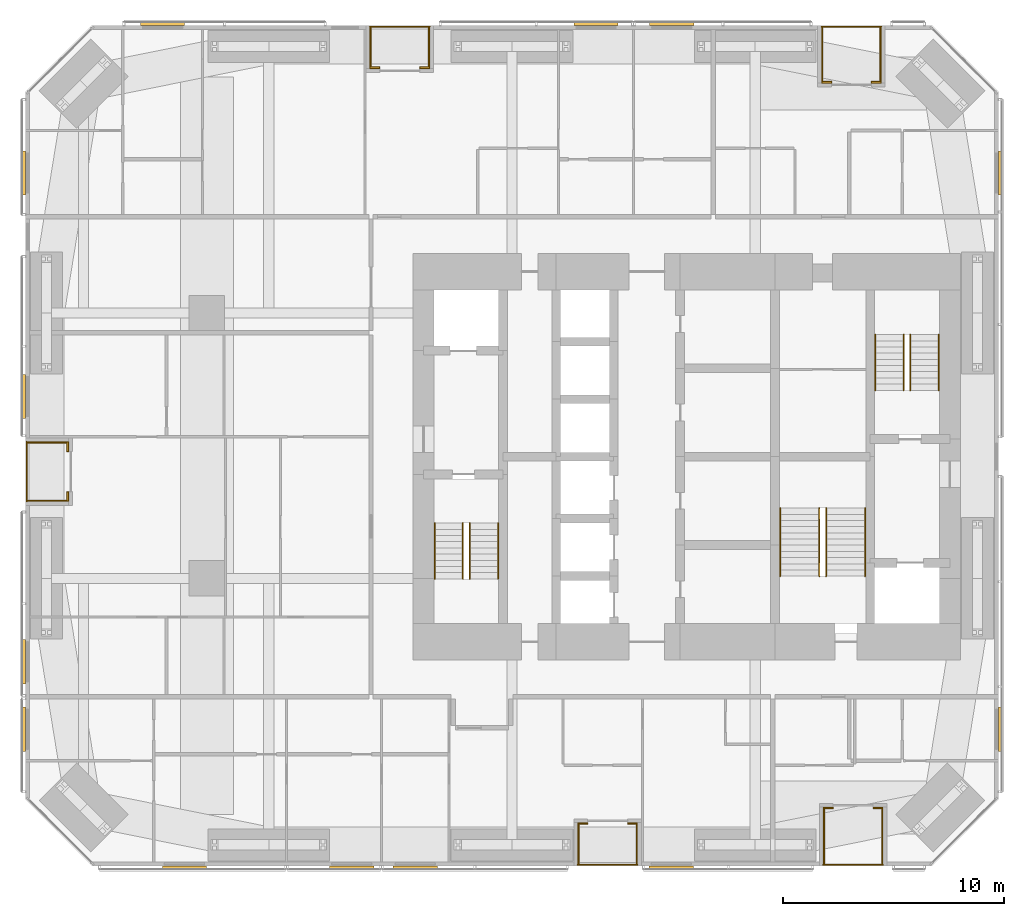
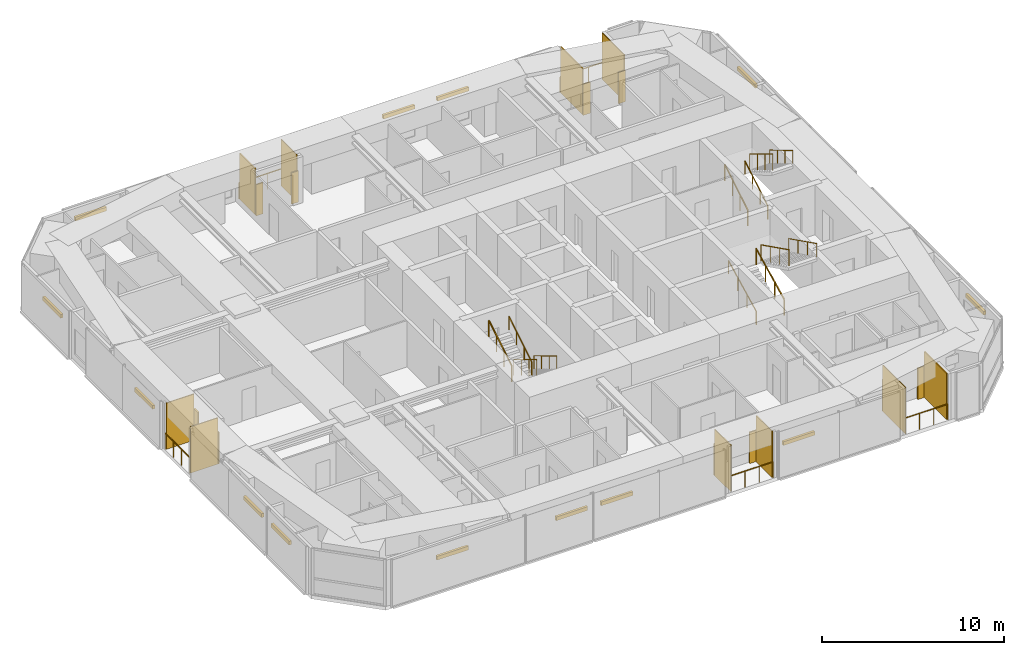
# One storey, part 24 of 24: 33 shading devices, 17 railings.
"""IFC4 building model written with IfcOpenShell, lengths in metres."""

from ifc_helpers import new_model, si_unit, direction, frame, origin, origin_2d, place, context, subcontext, project, spatial, rectangle, circle, extrude, material, layer, layer_set, constituent, constituent_set, type_object, element, save


model = new_model("IFC4")

# Units and contexts
model_context = context("Model", 3, precision=1e-05, world=origin(), true_north=direction((0.0, 1.0)))
body_context = subcontext(model_context, "Body", "Model", "MODEL_VIEW")
ifc_project = project(units=[si_unit("LENGTHUNIT", "METRE"), si_unit("AREAUNIT", "SQUARE_METRE"), si_unit("VOLUMEUNIT", "CUBIC_METRE"), si_unit("PLANEANGLEUNIT", "RADIAN"), si_unit("MASSUNIT", "GRAM", prefix="KILO")], contexts=[model_context])

# Site, building, storey
site_placement = place(None, origin())
site = spatial("IfcSite", under=ifc_project, at=site_placement, CompositionType="ELEMENT")
building_placement = place(site_placement, origin())
building = spatial("IfcBuilding", under=site, at=building_placement, Name="Jalousie Tower", CompositionType="ELEMENT")
storey_placement = place(building_placement, frame((0.0, 0.0, 57.85009765625)))
storey = spatial("IfcBuildingStorey", under=building, at=storey_placement, Name="L15", CompositionType="ELEMENT", Elevation=57.85009765625)

# Shading devices
ifc_material_1 = material(Name="Aluminium impact-rated louvred storm shutter", Category="aluminium")
shading_device_type_1 = type_object("IfcShadingDeviceType", Name="BI-FOLD STORM SHUTTER 900x2100", PredefinedType="SHUTTER", material=ifc_material_1)
for number, where, z_axis, x_axis, name in (
    (1, (27.199951171875, 1.909912109375, -0.000244140625), (0.0, 0.0, 1.0), (1.0, 0.0, 0.0), "Loggia storm shutter L15"),
    (2, (29.449951171875, 1.909912109375, -0.000244140625), (0.0, 0.0, 1.0), (1.0, 0.0, 0.0), "Loggia storm shutter L15"),
    (3, (38.300048828125, 2.610107421875, -0.000244140625), (0.0, 0.0, 1.0), (1.0, 0.0, 0.0), "Loggia storm shutter L15"),
    (4, (40.550048828125, 2.610107421875, -0.000244140625), (0.0, 0.0, 1.0), (1.0, 0.0, 0.0), "Loggia storm shutter L15"),
    (5, (40.4736328125, 35.43994140625, -0.000244140625), (0.0, 0.0, 1.0), (-1.0, 0.0, 0.0), "Loggia storm shutter L15"),
    (6, (38.2236328125, 35.43994140625, -0.000244140625), (0.0, 0.0, 1.0), (-1.0, 0.0, 0.0), "Loggia storm shutter L15"),
    (7, (20.050048828125, 36.090087890625, -0.000244140625), (0.0, 0.0, 1.0), (-1.0, 0.0, 0.0), "Loggia storm shutter L15"),
    (8, (17.800048828125, 36.090087890625, -0.000244140625), (0.0, 0.0, 1.0), (-1.0, 0.0, 0.0), "Loggia storm shutter L15"),
    (9, (3.909912109375, 18.949951171875, -0.000244140625), (0.0, 0.0, 1.0), (0.0, -1.0, 0.0), "Loggia storm shutter L15"),
    (10, (3.909912109375, 16.699951171875, -0.000244140625), (0.0, 0.0, 1.0), (0.0, -1.0, 0.0), "Loggia storm shutter L15"),
):
    element("IfcShadingDevice", number, at=place(storey_placement, frame(where, z_axis=z_axis, x_axis=x_axis)), inside=storey, type_object=shading_device_type_1, Name=name, PredefinedType="SHUTTER", context=body_context, shape_type="SweptSolid", body=[
        extrude(rectangle(XDim=0.449951171875, YDim=0.080078125, at=origin_2d()), origin(), (0.0, 0.0, 1.0), 2.10009765625),
    ])

# Railings
ifc_material_2 = material(Name="Powder-coated aluminium fretwork", Category="aluminium")
railing_type_1 = type_object("IfcRailingType", Name="FRETWORK BALUSTRADE 1100", PredefinedType="BALUSTRADE", material=ifc_material_2)
for number, where, name in (
    (11, (26.97509765625, 0.050048828125, 0.0), "Loggia fretwork balustrade L15"),
    (12, (38.074951171875, 0.050048828125, 0.0), "Loggia fretwork balustrade L15"),
):
    element("IfcRailing", number, at=place(storey_placement, frame(where)), inside=storey, type_object=railing_type_1, Name=name, PredefinedType="BALUSTRADE", context=body_context, shape_type="SweptSolid", body=[
        extrude(rectangle(XDim=0.048095703125, YDim=0.048095703125, at=origin_2d()), frame((0.0, 0.0, 1.076171875), z_axis=(1.0, 0.0, 0.0), x_axis=(0.0, 1.0, 0.0)), (0.0, 0.0, 1.0), 2.699951171875),
        extrude(circle(Radius=0.02099609375, at=origin_2d()), origin(), (0.0, 0.0, 1.0), 1.052001953125),
        extrude(circle(Radius=0.02099609375, at=origin_2d()), frame((0.89990234375, 0.0, 0.0)), (0.0, 0.0, 1.0), 1.052001953125),
        extrude(circle(Radius=0.02099609375, at=origin_2d()), frame((1.800048828125, 0.0, 0.0)), (0.0, 0.0, 1.0), 1.052001953125),
        extrude(circle(Radius=0.02099609375, at=origin_2d()), frame((2.699951171875, 0.0, 0.0)), (0.0, 0.0, 1.0), 1.052001953125),
    ])
for number, where, name in (
    (13, (40.69873046875, 37.949951171875, 0.0), "Loggia fretwork balustrade L15"),
    (14, (20.27490234375, 37.949951171875, 0.0), "Loggia fretwork balustrade L15"),
):
    element("IfcRailing", number, at=place(storey_placement, frame(where)), inside=storey, type_object=railing_type_1, Name=name, PredefinedType="BALUSTRADE", context=body_context, shape_type="SweptSolid", body=[
        extrude(rectangle(XDim=0.048095703125, YDim=0.048095703125, at=origin_2d()), frame((0.0, 0.0, 1.076171875), z_axis=(-1.0, 0.0, 0.0), x_axis=(0.0, -1.0, 0.0)), (0.0, 0.0, 1.0), 2.699951171875),
        extrude(circle(Radius=0.02099609375, at=origin_2d()), origin(), (0.0, 0.0, 1.0), 1.052001953125),
        extrude(circle(Radius=0.02099609375, at=origin_2d()), frame((-0.89990234375, 0.0, 0.0)), (0.0, 0.0, 1.0), 1.052001953125),
        extrude(circle(Radius=0.02099609375, at=origin_2d()), frame((-1.800048828125, 0.0, 0.0)), (0.0, 0.0, 1.0), 1.052001953125),
        extrude(circle(Radius=0.02099609375, at=origin_2d()), frame((-2.699951171875, 0.0, 0.0)), (0.0, 0.0, 1.0), 1.052001953125),
    ])
railing_1_placement = place(storey_placement, frame((2.050048828125, 19.175048828125, 0.0)))
element("IfcRailing", 15, at=railing_1_placement, inside=storey, type_object=railing_type_1, Name="Loggia fretwork balustrade L15", PredefinedType="BALUSTRADE", context=body_context, shape_type="SweptSolid", body=[
    extrude(rectangle(XDim=0.048095703125, YDim=0.048095703125, at=origin_2d()), frame((0.0, 0.0, 1.076171875), z_axis=(0.0, -1.0, 0.0), x_axis=(1.0, 0.0, 0.0)), (0.0, 0.0, 1.0), 2.699951171875),
    extrude(circle(Radius=0.02099609375, at=origin_2d()), origin(), (0.0, 0.0, 1.0), 1.052001953125),
    extrude(circle(Radius=0.02099609375, at=origin_2d()), frame((0.0, -0.89990234375, 0.0)), (0.0, 0.0, 1.0), 1.052001953125),
    extrude(circle(Radius=0.02099609375, at=origin_2d()), frame((0.0, -1.800048828125, 0.0)), (0.0, 0.0, 1.0), 1.052001953125),
    extrude(circle(Radius=0.02099609375, at=origin_2d()), frame((0.0, -2.699951171875, 0.0)), (0.0, 0.0, 1.0), 1.052001953125),
])

# Shading devices
ifc_material_3 = material(Name="Powder-coated aluminium louvres", Category="aluminium")
ifc_layer = layer(ifc_material_3, 0.06005859375)
ifc_layer_set = layer_set([ifc_layer], Name="Powder-coated aluminium louvres")
shading_device_type_2 = type_object("IfcShadingDeviceType", Name="JALOUSIE LOUVRE SCREEN", PredefinedType="JALOUSIE", material=ifc_layer_set)
for number, where, z_axis, x_axis, name in (
    (16, (27.0048828125, 0.97509765625, 0.0), (0.0, 0.0, 1.0), (1.0, 0.0, 0.0), "Loggia jalousie louvre screen L15"),
    (17, (29.64501953125, 0.97509765625, 0.0), (0.0, 0.0, 1.0), (1.0, 0.0, 0.0), "Loggia jalousie louvre screen L15"),
):
    element("IfcShadingDevice", number, at=place(storey_placement, frame(where, z_axis=z_axis, x_axis=x_axis)), inside=storey, type_object=shading_device_type_2, Name=name, PredefinedType="JALOUSIE", context=body_context, shape_type="SweptSolid", body=[
        extrude(rectangle(XDim=0.06005859375, YDim=1.75, at=origin_2d()), origin(), (0.0, 0.0, 1.0), 3.110107421875),
    ])
for number, where, z_axis, x_axis, name in (
    (18, (38.10498046875, 1.324951171875, 0.0), (0.0, 0.0, 1.0), (1.0, 0.0, 0.0), "Loggia jalousie louvre screen L15"),
    (19, (40.7451171875, 1.324951171875, 0.0), (0.0, 0.0, 1.0), (1.0, 0.0, 0.0), "Loggia jalousie louvre screen L15"),
):
    element("IfcShadingDevice", number, at=place(storey_placement, frame(where, z_axis=z_axis, x_axis=x_axis)), inside=storey, type_object=shading_device_type_2, Name=name, PredefinedType="JALOUSIE", context=body_context, shape_type="SweptSolid", body=[
        extrude(rectangle(XDim=0.06005859375, YDim=2.449951171875, at=origin_2d()), origin(), (0.0, 0.0, 1.0), 3.110107421875),
    ])
for number, where, z_axis, x_axis, name in (
    (20, (40.668701171875, 36.699951171875, 0.0), (0.0, 0.0, 1.0), (-1.0, 0.0, 0.0), "Loggia jalousie louvre screen L15"),
    (21, (38.02880859375, 36.699951171875, 0.0), (0.0, 0.0, 1.0), (-1.0, 0.0, 0.0), "Loggia jalousie louvre screen L15"),
):
    element("IfcShadingDevice", number, at=place(storey_placement, frame(where, z_axis=z_axis, x_axis=x_axis)), inside=storey, type_object=shading_device_type_2, Name=name, PredefinedType="JALOUSIE", context=body_context, shape_type="SweptSolid", body=[
        extrude(rectangle(XDim=0.06005859375, YDim=2.39990234375, at=origin_2d()), origin(), (0.0, 0.0, 1.0), 3.110107421875),
    ])
for number, where, z_axis, x_axis, name in (
    (22, (20.2451171875, 37.02490234375, 0.0), (0.0, 0.0, 1.0), (-1.0, 0.0, 0.0), "Loggia jalousie louvre screen L15"),
    (23, (17.60498046875, 37.02490234375, 0.0), (0.0, 0.0, 1.0), (-1.0, 0.0, 0.0), "Loggia jalousie louvre screen L15"),
    (24, (2.97509765625, 19.14501953125, 0.0), (0.0, 0.0, 1.0), (0.0, -1.0, 0.0), "Loggia jalousie louvre screen L15"),
    (25, (2.97509765625, 16.5048828125, 0.0), (0.0, 0.0, 1.0), (0.0, -1.0, 0.0), "Loggia jalousie louvre screen L15"),
):
    element("IfcShadingDevice", number, at=place(storey_placement, frame(where, z_axis=z_axis, x_axis=x_axis)), inside=storey, type_object=shading_device_type_2, Name=name, PredefinedType="JALOUSIE", context=body_context, shape_type="SweptSolid", body=[
        extrude(rectangle(XDim=0.06005859375, YDim=1.75, at=origin_2d()), origin(), (0.0, 0.0, 1.0), 3.110107421875),
    ])

# Railings
ifc_material_4 = material(Name="Steel ASTM A500 Grade C", Category="steel")
ifc_constituent_1 = constituent(ifc_material_4, Name="Body")
ifc_material_5 = material(Name="Hot-dip galvanised zinc coating")
ifc_constituent_2 = constituent(ifc_material_5, Name="Finish")
ifc_constituent_set_1 = constituent_set(constituents=[ifc_constituent_1, ifc_constituent_2])
railing_type_2 = type_object("IfcRailingType", Name="STAIR GUARD 1100", PredefinedType="GUARDRAIL", material=ifc_constituent_set_1)
railing_2_placement = place(storey_placement, frame((22.092529296875, 15.49755859375, 0.16748046875)))
element("IfcRailing", 26, at=railing_2_placement, inside=storey, type_object=railing_type_2, Name="Exit stair A guard L15 flight 1", PredefinedType="GUARDRAIL", context=body_context, shape_type="SweptSolid", body=[
    extrude(rectangle(XDim=0.048095703125, YDim=0.048095703125, at=origin_2d()), frame((0.0, 0.0, 1.076171875), z_axis=(0.0, -0.858196387827, 0.513321497621), x_axis=(1.0, 0.0, 0.0)), (0.0, 0.0, 1.0), 2.9365234375),
    extrude(circle(Radius=0.02099609375, at=origin_2d()), origin(), (0.0, 0.0, 1.0), 1.052001953125),
    extrude(circle(Radius=0.02099609375, at=origin_2d()), frame((0.0, -0.840087890625, 0.50244140625)), (0.0, 0.0, 1.0), 1.052001953125),
    extrude(circle(Radius=0.02099609375, at=origin_2d()), frame((0.0, -1.679931640625, 1.0048828125)), (0.0, 0.0, 1.0), 1.052001953125),
    extrude(circle(Radius=0.02099609375, at=origin_2d()), frame((0.0, -2.52001953125, 1.50732421875)), (0.0, 0.0, 1.0), 1.052001953125),
])
railing_3_placement = place(storey_placement, frame((20.5048828125, 12.9775390625, 1.84228515625)))
element("IfcRailing", 27, at=railing_3_placement, inside=storey, type_object=railing_type_2, Name="Exit stair A guard L15 flight 2", PredefinedType="GUARDRAIL", context=body_context, shape_type="SweptSolid", body=[
    extrude(rectangle(XDim=0.048095703125, YDim=0.048095703125, at=origin_2d()), frame((0.0, 0.0, 1.076171875), z_axis=(0.0, 0.858159760407, 0.513382728203), x_axis=(-1.0, 0.0, 0.0)), (0.0, 0.0, 1.0), 2.9365234375),
    extrude(circle(Radius=0.02099609375, at=origin_2d()), origin(), (0.0, 0.0, 1.0), 1.052001953125),
    extrude(circle(Radius=0.02099609375, at=origin_2d()), frame((0.0, 0.840087890625, 0.50244140625)), (0.0, 0.0, 1.0), 1.052001953125),
    extrude(circle(Radius=0.02099609375, at=origin_2d()), frame((0.0, 1.679931640625, 1.005126953125)), (0.0, 0.0, 1.0), 1.052001953125),
    extrude(circle(Radius=0.02099609375, at=origin_2d()), frame((0.0, 2.52001953125, 1.507568359375)), (0.0, 0.0, 1.0), 1.052001953125),
])
railing_4_placement = place(storey_placement, frame((40.43017578125, 21.50244140625, 0.16748046875)))
element("IfcRailing", 28, at=railing_4_placement, inside=storey, type_object=railing_type_2, Name="Exit stair B guard L15 flight 1", PredefinedType="GUARDRAIL", context=body_context, shape_type="SweptSolid", body=[
    extrude(rectangle(XDim=0.048095703125, YDim=0.048095703125, at=origin_2d()), frame((0.0, 0.0, 1.076171875), z_axis=(0.0, 0.858196387827, 0.513321497621), x_axis=(-1.0, 0.0, 0.0)), (0.0, 0.0, 1.0), 2.9365234375),
    extrude(circle(Radius=0.02099609375, at=origin_2d()), origin(), (0.0, 0.0, 1.0), 1.052001953125),
    extrude(circle(Radius=0.02099609375, at=origin_2d()), frame((0.0, 0.840087890625, 0.50244140625)), (0.0, 0.0, 1.0), 1.052001953125),
    extrude(circle(Radius=0.02099609375, at=origin_2d()), frame((0.0, 1.679931640625, 1.0048828125)), (0.0, 0.0, 1.0), 1.052001953125),
    extrude(circle(Radius=0.02099609375, at=origin_2d()), frame((0.0, 2.52001953125, 1.50732421875)), (0.0, 0.0, 1.0), 1.052001953125),
])
railing_5_placement = place(storey_placement, frame((42.017578125, 24.0224609375, 1.84228515625)))
element("IfcRailing", 29, at=railing_5_placement, inside=storey, type_object=railing_type_2, Name="Exit stair B guard L15 flight 2", PredefinedType="GUARDRAIL", context=body_context, shape_type="SweptSolid", body=[
    extrude(rectangle(XDim=0.048095703125, YDim=0.048095703125, at=origin_2d()), frame((0.0, 0.0, 1.076171875), z_axis=(0.0, -0.858159760407, 0.513382728203), x_axis=(1.0, 0.0, 0.0)), (0.0, 0.0, 1.0), 2.9365234375),
    extrude(circle(Radius=0.02099609375, at=origin_2d()), origin(), (0.0, 0.0, 1.0), 1.052001953125),
    extrude(circle(Radius=0.02099609375, at=origin_2d()), frame((0.0, -0.840087890625, 0.50244140625)), (0.0, 0.0, 1.0), 1.052001953125),
    extrude(circle(Radius=0.02099609375, at=origin_2d()), frame((0.0, -1.679931640625, 1.005126953125)), (0.0, 0.0, 1.0), 1.052001953125),
    extrude(circle(Radius=0.02099609375, at=origin_2d()), frame((0.0, -2.52001953125, 1.507568359375)), (0.0, 0.0, 1.0), 1.052001953125),
])
railing_6_placement = place(storey_placement, frame((37.89501953125, 13.097412109375, 0.139404296875)))
element("IfcRailing", 30, at=railing_6_placement, inside=storey, type_object=railing_type_2, Name="Exit stair C guard L15 flight 1", PredefinedType="GUARDRAIL", context=body_context, shape_type="SweptSolid", body=[
    extrude(rectangle(XDim=0.048095703125, YDim=0.048095703125, at=origin_2d()), frame((0.0, 0.0, 1.076171875), z_axis=(0.0, 0.894965676997, 0.446134998624), x_axis=(-1.0, 0.0, 0.0)), (0.0, 0.0, 1.0), 3.441650390625),
    extrude(circle(Radius=0.02099609375, at=origin_2d()), origin(), (0.0, 0.0, 1.0), 1.052001953125),
    extrude(circle(Radius=0.02099609375, at=origin_2d()), frame((0.0, 1.026611328125, 0.51171875)), (0.0, 0.0, 1.0), 1.052001953125),
    extrude(circle(Radius=0.02099609375, at=origin_2d()), frame((0.0, 2.053466796875, 1.023681640625)), (0.0, 0.0, 1.0), 1.052001953125),
    extrude(circle(Radius=0.02099609375, at=origin_2d()), frame((0.0, 3.080078125, 1.535400390625)), (0.0, 0.0, 1.0), 1.052001953125),
])
railing_7_placement = place(storey_placement, frame((38.205078125, 16.177490234375, 1.814453125)))
element("IfcRailing", 31, at=railing_7_placement, inside=storey, type_object=railing_type_2, Name="Exit stair C guard L15 flight 2", PredefinedType="GUARDRAIL", context=body_context, shape_type="SweptSolid", body=[
    extrude(rectangle(XDim=0.048095703125, YDim=0.048095703125, at=origin_2d()), frame((0.0, 0.0, 1.076171875), z_axis=(0.0, -0.894965676997, 0.446134998624), x_axis=(1.0, 0.0, 0.0)), (0.0, 0.0, 1.0), 3.441650390625),
    extrude(circle(Radius=0.02099609375, at=origin_2d()), origin(), (0.0, 0.0, 1.0), 1.052001953125),
    extrude(circle(Radius=0.02099609375, at=origin_2d()), frame((0.0, -1.026611328125, 0.51171875)), (0.0, 0.0, 1.0), 1.052001953125),
    extrude(circle(Radius=0.02099609375, at=origin_2d()), frame((0.0, -2.053466796875, 1.023681640625)), (0.0, 0.0, 1.0), 1.052001953125),
    extrude(circle(Radius=0.02099609375, at=origin_2d()), frame((0.0, -3.080078125, 1.535400390625)), (0.0, 0.0, 1.0), 1.052001953125),
])
ifc_material_6 = material(Name="Steel ASTM A500 Grade C", Category="steel")
ifc_constituent_3 = constituent(ifc_material_6, Name="Body")
ifc_material_7 = material(Name="Hot-dip galvanised zinc coating")
ifc_constituent_4 = constituent(ifc_material_7, Name="Finish")
ifc_constituent_set_2 = constituent_set(constituents=[ifc_constituent_3, ifc_constituent_4])
railing_type_3 = type_object("IfcRailingType", Name="STAIR HANDRAIL 900", PredefinedType="HANDRAIL", material=ifc_constituent_set_2)
railing_8_placement = place(storey_placement, frame((23.3701171875, 15.49755859375, 0.16748046875)))
element("IfcRailing", 32, at=railing_8_placement, inside=storey, type_object=railing_type_3, Name="Exit stair A handrail L15 flight 1", PredefinedType="HANDRAIL", context=body_context, shape_type="SweptSolid", body=[
    extrude(circle(Radius=0.02392578125, at=origin_2d()), frame((0.0, 0.0, 0.8759765625), z_axis=(0.0, -0.858196387827, 0.513321497621), x_axis=(1.0, 0.0, 0.0)), (0.0, 0.0, 1.0), 2.9365234375),
    extrude(circle(Radius=0.02099609375, at=origin_2d()), origin(), (0.0, 0.0, 1.0), 0.851806640625),
    extrude(circle(Radius=0.02099609375, at=origin_2d()), frame((0.0, -0.840087890625, 0.50244140625)), (0.0, 0.0, 1.0), 0.851806640625),
    extrude(circle(Radius=0.02099609375, at=origin_2d()), frame((0.0, -1.679931640625, 1.0048828125)), (0.0, 0.0, 1.0), 0.851806640625),
    extrude(circle(Radius=0.02099609375, at=origin_2d()), frame((0.0, -2.52001953125, 1.50732421875)), (0.0, 0.0, 1.0), 0.851806640625),
])
railing_9_placement = place(storey_placement, frame((21.78271484375, 12.9775390625, 1.84228515625)))
element("IfcRailing", 33, at=railing_9_placement, inside=storey, type_object=railing_type_3, Name="Exit stair A handrail L15 flight 2", PredefinedType="HANDRAIL", context=body_context, shape_type="SweptSolid", body=[
    extrude(circle(Radius=0.02392578125, at=origin_2d()), frame((0.0, 0.0, 0.8759765625), z_axis=(0.0, 0.858159760407, 0.513382728203), x_axis=(-1.0, 0.0, 0.0)), (0.0, 0.0, 1.0), 2.9365234375),
    extrude(circle(Radius=0.02099609375, at=origin_2d()), origin(), (0.0, 0.0, 1.0), 0.851806640625),
    extrude(circle(Radius=0.02099609375, at=origin_2d()), frame((0.0, 0.840087890625, 0.50244140625)), (0.0, 0.0, 1.0), 0.851806640625),
    extrude(circle(Radius=0.02099609375, at=origin_2d()), frame((0.0, 1.679931640625, 1.005126953125)), (0.0, 0.0, 1.0), 0.851806640625),
    extrude(circle(Radius=0.02099609375, at=origin_2d()), frame((0.0, 2.52001953125, 1.507568359375)), (0.0, 0.0, 1.0), 0.851806640625),
])
railing_10_placement = place(storey_placement, frame((41.70751953125, 21.50244140625, 0.16748046875)))
element("IfcRailing", 34, at=railing_10_placement, inside=storey, type_object=railing_type_3, Name="Exit stair B handrail L15 flight 1", PredefinedType="HANDRAIL", context=body_context, shape_type="SweptSolid", body=[
    extrude(circle(Radius=0.02392578125, at=origin_2d()), frame((0.0, 0.0, 0.8759765625), z_axis=(0.0, 0.858196387827, 0.513321497621), x_axis=(-1.0, 0.0, 0.0)), (0.0, 0.0, 1.0), 2.9365234375),
    extrude(circle(Radius=0.02099609375, at=origin_2d()), origin(), (0.0, 0.0, 1.0), 0.851806640625),
    extrude(circle(Radius=0.02099609375, at=origin_2d()), frame((0.0, 0.840087890625, 0.50244140625)), (0.0, 0.0, 1.0), 0.851806640625),
    extrude(circle(Radius=0.02099609375, at=origin_2d()), frame((0.0, 1.679931640625, 1.0048828125)), (0.0, 0.0, 1.0), 0.851806640625),
    extrude(circle(Radius=0.02099609375, at=origin_2d()), frame((0.0, 2.52001953125, 1.50732421875)), (0.0, 0.0, 1.0), 0.851806640625),
])
railing_11_placement = place(storey_placement, frame((43.294921875, 24.0224609375, 1.84228515625)))
element("IfcRailing", 35, at=railing_11_placement, inside=storey, type_object=railing_type_3, Name="Exit stair B handrail L15 flight 2", PredefinedType="HANDRAIL", context=body_context, shape_type="SweptSolid", body=[
    extrude(circle(Radius=0.02392578125, at=origin_2d()), frame((0.0, 0.0, 0.8759765625), z_axis=(0.0, -0.858159760407, 0.513382728203), x_axis=(1.0, 0.0, 0.0)), (0.0, 0.0, 1.0), 2.9365234375),
    extrude(circle(Radius=0.02099609375, at=origin_2d()), origin(), (0.0, 0.0, 1.0), 0.851806640625),
    extrude(circle(Radius=0.02099609375, at=origin_2d()), frame((0.0, -0.840087890625, 0.50244140625)), (0.0, 0.0, 1.0), 0.851806640625),
    extrude(circle(Radius=0.02099609375, at=origin_2d()), frame((0.0, -1.679931640625, 1.005126953125)), (0.0, 0.0, 1.0), 0.851806640625),
    extrude(circle(Radius=0.02099609375, at=origin_2d()), frame((0.0, -2.52001953125, 1.507568359375)), (0.0, 0.0, 1.0), 0.851806640625),
])
railing_12_placement = place(storey_placement, frame((36.1298828125, 13.097412109375, 0.139404296875)))
element("IfcRailing", 36, at=railing_12_placement, inside=storey, type_object=railing_type_3, Name="Exit stair C handrail L15 flight 1", PredefinedType="HANDRAIL", context=body_context, shape_type="SweptSolid", body=[
    extrude(circle(Radius=0.02392578125, at=origin_2d()), frame((0.0, 0.0, 0.8759765625), z_axis=(0.0, 0.894965676997, 0.446134998624), x_axis=(-1.0, 0.0, 0.0)), (0.0, 0.0, 1.0), 3.441650390625),
    extrude(circle(Radius=0.02099609375, at=origin_2d()), origin(), (0.0, 0.0, 1.0), 0.851806640625),
    extrude(circle(Radius=0.02099609375, at=origin_2d()), frame((0.0, 1.026611328125, 0.51171875)), (0.0, 0.0, 1.0), 0.851806640625),
    extrude(circle(Radius=0.02099609375, at=origin_2d()), frame((0.0, 2.053466796875, 1.023681640625)), (0.0, 0.0, 1.0), 0.851806640625),
    extrude(circle(Radius=0.02099609375, at=origin_2d()), frame((0.0, 3.080078125, 1.535400390625)), (0.0, 0.0, 1.0), 0.851806640625),
])
railing_13_placement = place(storey_placement, frame((39.969970703125, 16.177490234375, 1.814453125)))
element("IfcRailing", 37, at=railing_13_placement, inside=storey, type_object=railing_type_3, Name="Exit stair C handrail L15 flight 2", PredefinedType="HANDRAIL", context=body_context, shape_type="SweptSolid", body=[
    extrude(circle(Radius=0.02392578125, at=origin_2d()), frame((0.0, 0.0, 0.8759765625), z_axis=(0.0, -0.894965676997, 0.446134998624), x_axis=(1.0, 0.0, 0.0)), (0.0, 0.0, 1.0), 3.441650390625),
    extrude(circle(Radius=0.02099609375, at=origin_2d()), origin(), (0.0, 0.0, 1.0), 0.851806640625),
    extrude(circle(Radius=0.02099609375, at=origin_2d()), frame((0.0, -1.026611328125, 0.51171875)), (0.0, 0.0, 1.0), 0.851806640625),
    extrude(circle(Radius=0.02099609375, at=origin_2d()), frame((0.0, -2.053466796875, 1.023681640625)), (0.0, 0.0, 1.0), 0.851806640625),
    extrude(circle(Radius=0.02099609375, at=origin_2d()), frame((0.0, -3.080078125, 1.535400390625)), (0.0, 0.0, 1.0), 0.851806640625),
])

# Shading devices
ifc_material_8 = material(Name="Aluminium roller storm shutter", Category="aluminium")
shading_device_type_3 = type_object("IfcShadingDeviceType", Name="STORM SHUTTER HOUSING", PredefinedType="SHUTTER", material=ifc_material_8)
for number, where, z_axis, x_axis, name in (
    (38, (9.18505859375, -0.074951171875, 2.099853515625), (0.0, 0.0, 1.0), (1.0, 0.0, 0.0), "Storm shutter L15"),
    (39, (16.757568359375, -0.074951171875, 2.099853515625), (0.0, 0.0, 1.0), (1.0, 0.0, 0.0), "Storm shutter L15"),
    (40, (19.625, -0.074951171875, 2.099853515625), (0.0, 0.0, 1.0), (1.0, 0.0, 0.0), "Storm shutter L15"),
    (41, (31.199951171875, -0.074951171875, 2.099853515625), (0.0, 0.0, 1.0), (1.0, 0.0, 0.0), "Storm shutter L15"),
    (42, (46.074951171875, 6.17333984375, 2.099853515625), (0.0, 0.0, 1.0), (0.0, 1.0, 0.0), "Storm shutter L15"),
    (43, (46.074951171875, 31.32666015625, 2.099853515625), (0.0, 0.0, 1.0), (0.0, 1.0, 0.0), "Storm shutter L15"),
    (44, (31.22509765625, 38.074951171875, 2.099853515625), (0.0, 0.0, 1.0), (-1.0, 0.0, 0.0), "Storm shutter L15"),
    (45, (27.800048828125, 38.074951171875, 2.099853515625), (0.0, 0.0, 1.0), (-1.0, 0.0, 0.0), "Storm shutter L15"),
    (46, (8.199951171875, 38.074951171875, 2.099853515625), (0.0, 0.0, 1.0), (-1.0, 0.0, 0.0), "Storm shutter L15"),
    (47, (1.925048828125, 31.32666015625, 2.099853515625), (0.0, 0.0, 1.0), (0.0, -1.0, 0.0), "Storm shutter L15"),
    (48, (1.925048828125, 21.22509765625, 2.099853515625), (0.0, 0.0, 1.0), (0.0, -1.0, 0.0), "Storm shutter L15"),
    (49, (1.925048828125, 9.22509765625, 2.099853515625), (0.0, 0.0, 1.0), (0.0, -1.0, 0.0), "Storm shutter L15"),
    (50, (1.925048828125, 6.17333984375, 2.099853515625), (0.0, 0.0, 1.0), (0.0, -1.0, 0.0), "Storm shutter L15"),
):
    element("IfcShadingDevice", number, at=place(storey_placement, frame(where, z_axis=z_axis, x_axis=x_axis)), inside=storey, type_object=shading_device_type_3, Name=name, PredefinedType="SHUTTER", context=body_context, shape_type="SweptSolid", body=[
        extrude(rectangle(XDim=2.0, YDim=0.14990234375, at=origin_2d()), origin(), (0.0, 0.0, 1.0), 0.25),
    ])

save(model, "model.ifc")
